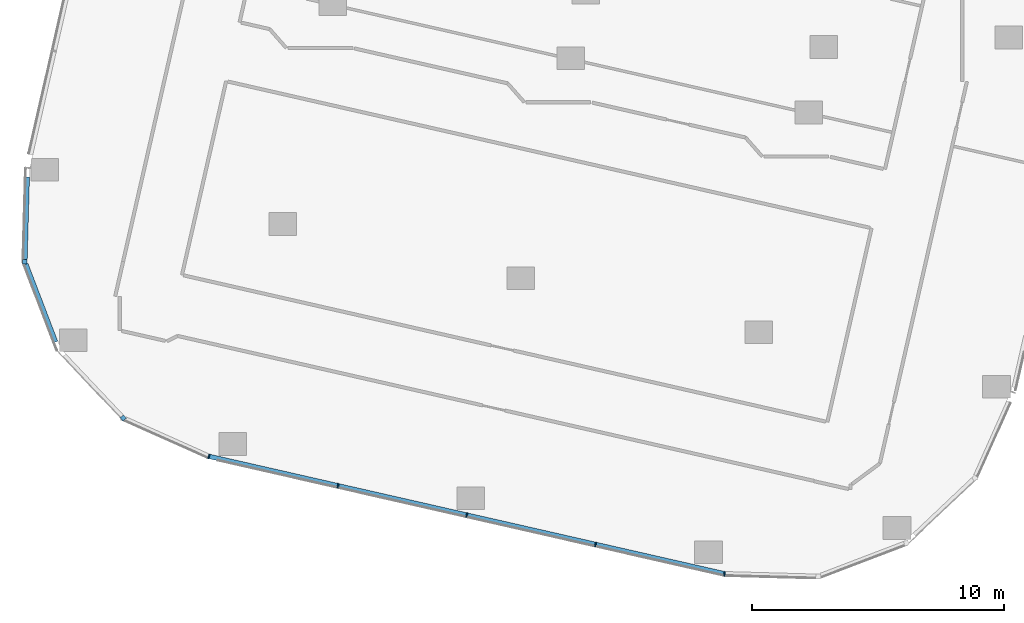
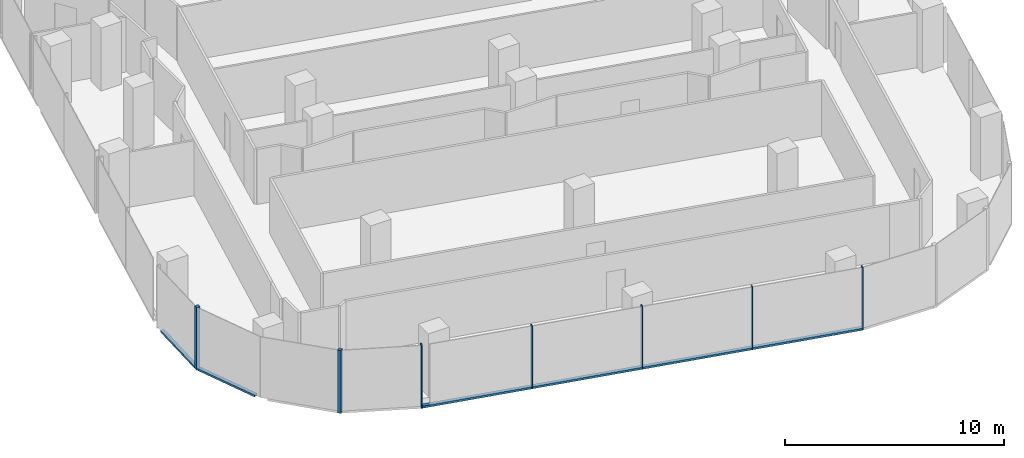
# One storey, part 2 of 24: 10 members, 5 elements without a shape of their own.
"""IFC4 building model written with IfcOpenShell, lengths in metres."""

from ifc_helpers import new_model, si_unit, direction, frame, origin, origin_2d, place, context, subcontext, project, spatial, rectangle, extrude, material, material_profile, profile_set, type_object, element, aggregate, save


model = new_model("IFC4")

# Units and contexts
model_context = context("Model", 3, precision=1e-05, world=origin(), true_north=direction((0.0, 1.0)))
body_context = subcontext(model_context, "Body", "Model", "MODEL_VIEW")
ifc_project = project(units=[si_unit("LENGTHUNIT", "METRE"), si_unit("AREAUNIT", "SQUARE_METRE"), si_unit("VOLUMEUNIT", "CUBIC_METRE"), si_unit("PLANEANGLEUNIT", "RADIAN"), si_unit("MASSUNIT", "GRAM", prefix="KILO")], contexts=[model_context])

# Site, building, storey
site_placement = place(None, origin())
site = spatial("IfcSite", under=ifc_project, at=site_placement, CompositionType="ELEMENT")
building_placement = place(site_placement, origin())
building = spatial("IfcBuilding", under=site, at=building_placement, Name="Orlundy Tower", CompositionType="ELEMENT")
storey_placement = place(building_placement, frame((0.0, 0.0, 177.60009765625)))
storey = spatial("IfcBuildingStorey", under=building, at=storey_placement, Name="L46", CompositionType="ELEMENT", Elevation=177.60009765625)

# Curtain wall, member
ifc_material_1 = material(Name="Aluminium bronze anodised", Category="aluminium")
curtain_wall_type = type_object("IfcCurtainWallType", Name="CW1 wall", PredefinedType="NOTDEFINED", material=ifc_material_1)
curtain_wall_1_placement = place(storey_placement, origin())
curtain_wall_1 = element("IfcCurtainWall", 1, at=curtain_wall_1_placement, inside=storey, type_object=curtain_wall_type, Name="CW1 run 025", PredefinedType="NOTDEFINED")
ifc_material_2 = material(Name="Aluminium bronze anodised", Category="aluminium")
ifc_material_profile_1 = material_profile(ifc_material_2, rectangle(XDim=0.179931640625, YDim=0.179931640625, at=origin_2d()), Name="CW1 corner post 180x180")
ifc_profile_set_1 = profile_set([ifc_material_profile_1], Name="Aluminium bronze anodised")
member_type_1 = type_object("IfcMemberType", Name="CW1 corner post 180x180", PredefinedType="MULLION", material=ifc_profile_set_1)
member_1_placement = place(storey_placement, frame((-27.113037109375, -55.21875, -0.420166015625), z_axis=(0.0, 0.0, 1.0), x_axis=(-0.726526655942, -0.68713828172, 0.0)))
member_1 = element("IfcMember", 2, at=member_1_placement, type_object=member_type_1, Name="CW1 mullion 58", PredefinedType="MULLION", context=body_context, shape_type="SweptSolid", body=[
    extrude(rectangle(XDim=0.179931640625, YDim=0.179931640625, at=origin_2d()), origin(), (0.0, 0.0, 1.0), 3.5),
])
aggregate(curtain_wall_1, [member_1])

curtain_wall_2_placement = place(storey_placement, origin())
curtain_wall_2 = element("IfcCurtainWall", 3, at=curtain_wall_2_placement, inside=storey, type_object=curtain_wall_type, Name="CW1 run 027", PredefinedType="NOTDEFINED")
member_2_placement = place(storey_placement, frame((-31.021484375, -49.00439453125, -0.420166015625), z_axis=(0.0, 0.0, 1.0), x_axis=(-0.999613796342, 0.027789533343, 0.0)))
member_2 = element("IfcMember", 4, at=member_2_placement, type_object=member_type_1, Name="CW1 mullion 60", PredefinedType="MULLION", context=body_context, shape_type="SweptSolid", body=[
    extrude(rectangle(XDim=0.179931640625, YDim=0.179931640625, at=origin_2d()), origin(), (0.0, 0.0, 1.0), 3.5),
])

# Curtain wall, members
curtain_wall_3_placement = place(storey_placement, origin())
curtain_wall_3 = element("IfcCurtainWall", 5, at=curtain_wall_3_placement, inside=storey, type_object=curtain_wall_type, Name="CW1 run 023", PredefinedType="NOTDEFINED")
ifc_material_3 = material(Name="Aluminium bronze anodised", Category="aluminium")
ifc_material_profile_2 = material_profile(ifc_material_3, rectangle(XDim=0.179931640625, YDim=0.050048828125, at=origin_2d()), Name="CW1 mullion 50x180")
ifc_profile_set_2 = profile_set([ifc_material_profile_2], Name="Aluminium bronze anodised")
member_type_2 = type_object("IfcMemberType", Name="CW1 mullion 50x180", PredefinedType="MULLION", material=ifc_profile_set_2)
member_3_placement = place(storey_placement, frame((-3.21142578125, -61.41064453125, -0.420166015625), z_axis=(0.0, 0.0, 1.0), x_axis=(-0.12540953917, -0.992105058693, 0.0)))
member_3 = element("IfcMember", 6, at=member_3_placement, type_object=member_type_2, Name="CW1 mullion 53", PredefinedType="MULLION", context=body_context, shape_type="SweptSolid", body=[
    extrude(rectangle(XDim=0.179931640625, YDim=0.050048828125, at=origin_2d()), origin(), (0.0, 0.0, 1.0), 3.5),
])
member_4_placement = place(storey_placement, frame((-8.3388671875, -60.24267578125, -0.420166015625), z_axis=(0.0, 0.0, 1.0), x_axis=(-0.222090335048, -0.975026093537, 0.0)))
member_4 = element("IfcMember", 7, at=member_4_placement, type_object=member_type_2, Name="CW1 mullion 54", PredefinedType="MULLION", context=body_context, shape_type="SweptSolid", body=[
    extrude(rectangle(XDim=0.179931640625, YDim=0.050048828125, at=origin_2d()), origin(), (0.0, 0.0, 1.0), 3.5),
])
member_5_placement = place(storey_placement, frame((-13.4580078125, -59.07666015625, -0.420166015625), z_axis=(0.0, 0.0, 1.0), x_axis=(-0.222090335048, -0.975026093537, 0.0)))
member_5 = element("IfcMember", 8, at=member_5_placement, type_object=member_type_2, Name="CW1 mullion 55", PredefinedType="MULLION", context=body_context, shape_type="SweptSolid", body=[
    extrude(rectangle(XDim=0.179931640625, YDim=0.050048828125, at=origin_2d()), origin(), (0.0, 0.0, 1.0), 3.5),
])
member_6_placement = place(storey_placement, frame((-18.576904296875, -57.91064453125, -0.420166015625), z_axis=(0.0, 0.0, 1.0), x_axis=(-0.222090335048, -0.975026093537, 0.0)))
member_6 = element("IfcMember", 9, at=member_6_placement, type_object=member_type_2, Name="CW1 mullion 56", PredefinedType="MULLION", context=body_context, shape_type="SweptSolid", body=[
    extrude(rectangle(XDim=0.179931640625, YDim=0.050048828125, at=origin_2d()), origin(), (0.0, 0.0, 1.0), 3.5),
])

# Curtain wall, member
curtain_wall_4_placement = place(storey_placement, origin())
curtain_wall_4 = element("IfcCurtainWall", 10, at=curtain_wall_4_placement, inside=storey, type_object=curtain_wall_type, Name="CW1 run 024", PredefinedType="NOTDEFINED")
member_7_placement = place(storey_placement, frame((-23.70458984375, -56.74267578125, -0.420166015625), z_axis=(0.0, 0.0, 1.0), x_axis=(-0.316654515257, -0.94854094164, 0.0)))
member_7 = element("IfcMember", 11, at=member_7_placement, type_object=member_type_2, Name="CW1 mullion 57", PredefinedType="MULLION", context=body_context, shape_type="SweptSolid", body=[
    extrude(rectangle(XDim=0.179931640625, YDim=0.050048828125, at=origin_2d()), origin(), (0.0, 0.0, 1.0), 3.5),
])
aggregate(curtain_wall_4, [member_7])

# Member
ifc_material_4 = material(Name="Aluminium bronze anodised", Category="aluminium")
ifc_material_profile_3 = material_profile(ifc_material_4, rectangle(XDim=0.179931640625, YDim=0.1201171875, at=origin_2d()), Name="CW1 transom 180x120")
ifc_profile_set_3 = profile_set([ifc_material_profile_3], Name="Aluminium bronze anodised")
member_type_3 = type_object("IfcMemberType", Name="CW1 transom 180x120", PredefinedType="USERDEFINED", material=ifc_profile_set_3)
member_8_placement = place(storey_placement, frame((-3.23583984375, -61.405029296875, -0.360107421875), z_axis=(-0.975026602826, 0.222088099144, 0.0), x_axis=(-0.222088099144, -0.975026602826, 0.0)))
member_8 = element("IfcMember", 12, at=member_8_placement, type_object=member_type_3, Name="CW1 transom", ObjectType="TRANSOM", PredefinedType="USERDEFINED", context=body_context, shape_type="SweptSolid", body=[
    extrude(rectangle(XDim=0.179931640625, YDim=0.1201171875, at=origin_2d()), origin(), (0.0, 0.0, 1.0), 20.968017578125),
])

aggregate(curtain_wall_3, [member_3, member_4, member_5, member_6, member_8])

# Curtain wall, member
curtain_wall_5_placement = place(storey_placement, origin())
curtain_wall_5 = element("IfcCurtainWall", 13, at=curtain_wall_5_placement, inside=storey, type_object=curtain_wall_type, Name="CW1 run 026", PredefinedType="NOTDEFINED")
member_9_placement = place(storey_placement, frame((-29.799072265625, -52.200927734375, -0.360107421875), z_axis=(-0.35716761429, 0.934040307108, 0.0), x_axis=(-0.934040307108, -0.35716761429, 0.0)))
member_9 = element("IfcMember", 14, at=member_9_placement, type_object=member_type_3, Name="CW1 transom", ObjectType="TRANSOM", PredefinedType="USERDEFINED", context=body_context, shape_type="SweptSolid", body=[
    extrude(rectangle(XDim=0.179931640625, YDim=0.1201171875, at=origin_2d()), origin(), (0.0, 0.0, 1.0), 3.32470703125),
])
aggregate(curtain_wall_5, [member_9])

# Member
member_10_placement = place(storey_placement, frame((-31.01904296875, -48.91455078125, -0.360107421875), z_axis=(0.027820893946, 0.999612924016, 0.0), x_axis=(-0.999612924016, 0.027820893946, 0.0)))
member_10 = element("IfcMember", 15, at=member_10_placement, type_object=member_type_3, Name="CW1 transom", ObjectType="TRANSOM", PredefinedType="USERDEFINED", context=body_context, shape_type="SweptSolid", body=[
    extrude(rectangle(XDim=0.179931640625, YDim=0.1201171875, at=origin_2d()), origin(), (0.0, 0.0, 1.0), 3.273193359375),
])

aggregate(curtain_wall_2, [member_2, member_10])

save(model, "model.ifc")
